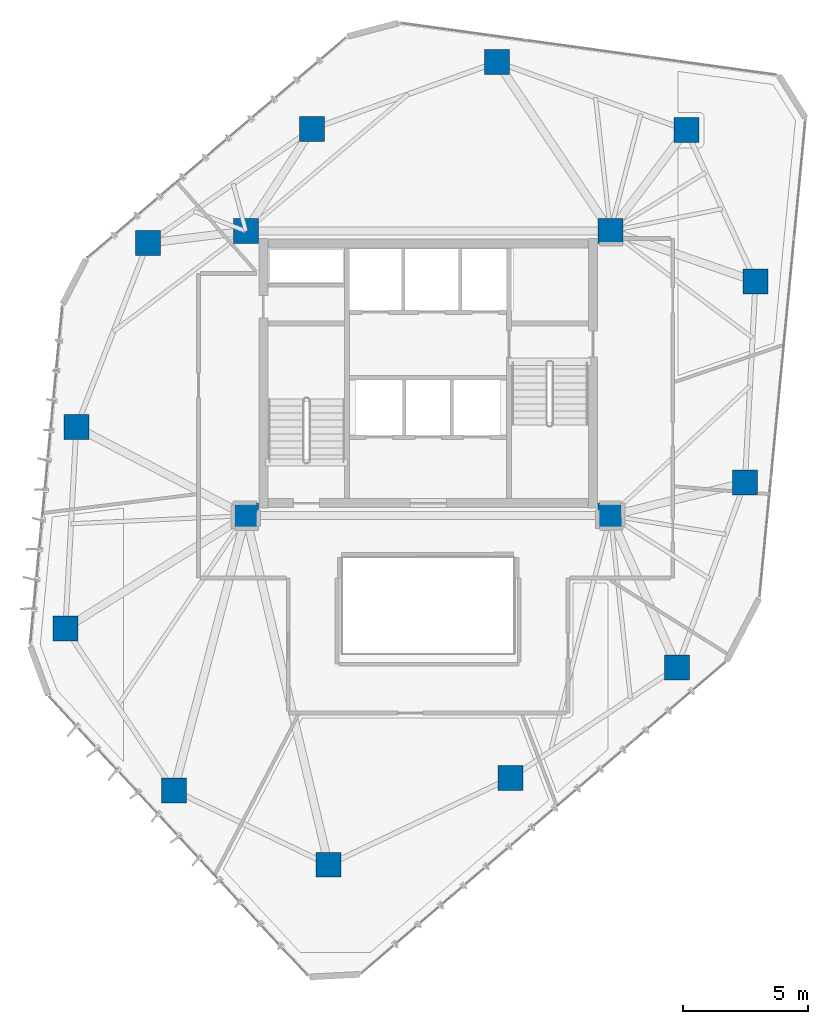
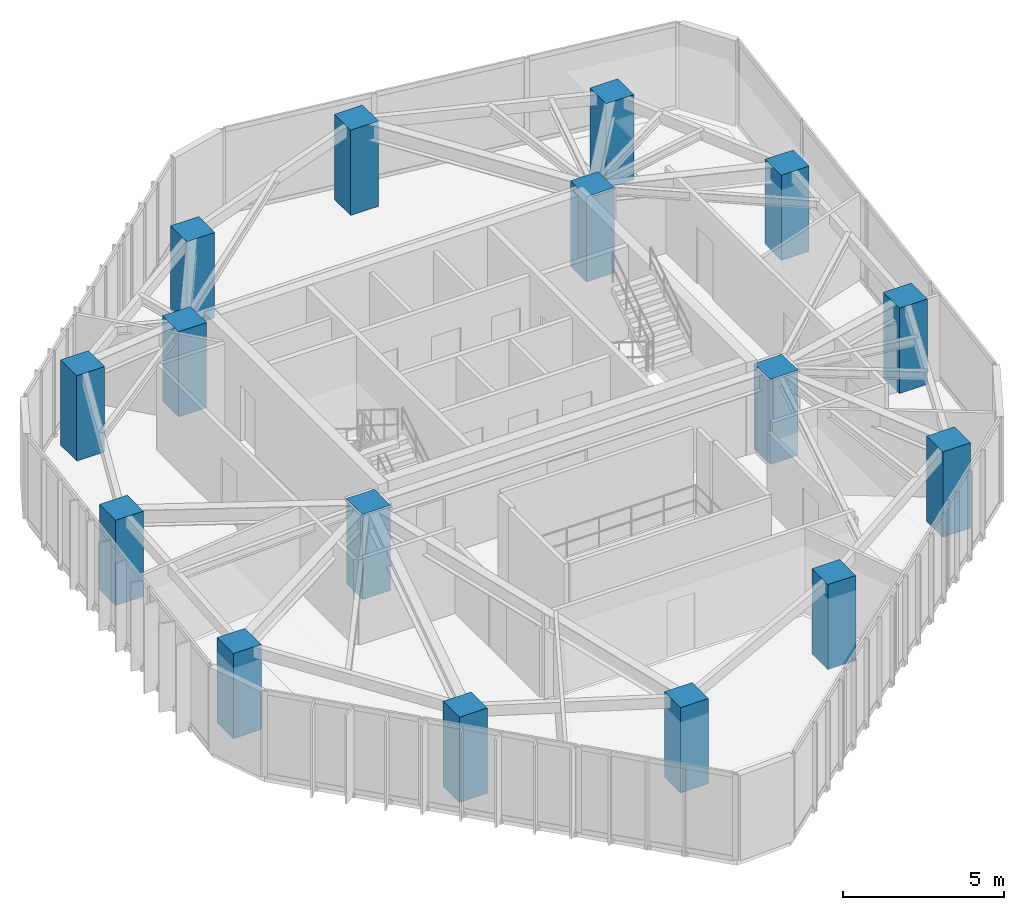
# One storey, part 1 of 20: 16 columns.
"""IFC4 building model written with IfcOpenShell, lengths in metres."""

from ifc_helpers import new_model, si_unit, direction, frame, origin, origin_2d, place, context, subcontext, project, spatial, rectangle, extrude, material, material_profile, profile_set, type_object, element, save


model = new_model("IFC4")

# Units and contexts
model_context = context("Model", 3, precision=1e-05, world=origin(), true_north=direction((0.0, 1.0)))
body_context = subcontext(model_context, "Body", "Model", "MODEL_VIEW")
ifc_project = project(units=[si_unit("LENGTHUNIT", "METRE"), si_unit("AREAUNIT", "SQUARE_METRE"), si_unit("VOLUMEUNIT", "CUBIC_METRE"), si_unit("PLANEANGLEUNIT", "RADIAN"), si_unit("MASSUNIT", "GRAM", prefix="KILO")], contexts=[model_context])

# Site, building, storey
site_placement = place(None, origin())
site = spatial("IfcSite", under=ifc_project, at=site_placement, CompositionType="ELEMENT")
building_placement = place(site_placement, origin())
building = spatial("IfcBuilding", under=site, at=building_placement, Name="Talar Marvaseh", CompositionType="ELEMENT")
storey_placement = place(building_placement, frame((0.0, 0.0, 211.699951171875)))
storey = spatial("IfcBuildingStorey", under=building, at=storey_placement, Name="L55", CompositionType="ELEMENT", Elevation=211.699951171875)

# Columns
ifc_material = material(Name="Concrete C60/75", Category="concrete")
ifc_material_profile = material_profile(ifc_material, rectangle(XDim=1.0, YDim=1.0, at=origin_2d()), Name="RC1000x1000")
ifc_profile_set = profile_set([ifc_material_profile], Name="Concrete C60/75")
column_type = type_object("IfcColumnType", Name="Zone 3 Tube Column RC1000x1000", PredefinedType="COLUMN", material=ifc_profile_set)
for number, where, z_axis, x_axis, name in (
    (1, (28.76611328125, 43.66796875, 0.0), (0.0, 0.0, 1.0), (1.0, 0.0, 0.0), "L55 Zone 3 Tube Column RC1000x1000"),
    (2, (36.341064453125, 40.94189453125, 0.0), (0.0, 0.0, 1.0), (1.0, 0.0, 0.0), "L55 Zone 3 Tube Column RC1000x1000"),
    (3, (39.113037109375, 34.884033203125, 0.0), (0.0, 0.0, 1.0), (1.0, 0.0, 0.0), "L55 Zone 3 Tube Column RC1000x1000"),
    (4, (38.68896484375, 26.823974609375, 0.0), (0.0, 0.0, 1.0), (1.0, 0.0, 0.0), "L55 Zone 3 Tube Column RC1000x1000"),
    (5, (35.970947265625, 19.423095703125, 0.0), (0.0, 0.0, 1.0), (1.0, 0.0, 0.0), "L55 Zone 3 Tube Column RC1000x1000"),
    (6, (29.299072265625, 14.993896484375, 0.0), (0.0, 0.0, 1.0), (1.0, 0.0, 0.0), "L55 Zone 3 Tube Column RC1000x1000"),
    (7, (22.014892578125, 11.51904296875, 0.0), (0.0, 0.0, 1.0), (1.0, 0.0, 0.0), "L55 Zone 3 Tube Column RC1000x1000"),
    (8, (15.819091796875, 14.5009765625, 0.0), (0.0, 0.0, 1.0), (1.0, 0.0, 0.0), "L55 Zone 3 Tube Column RC1000x1000"),
    (9, (11.471923828125, 20.986083984375, 0.0), (0.0, 0.0, 1.0), (1.0, 0.0, 0.0), "L55 Zone 3 Tube Column RC1000x1000"),
    (10, (11.908935546875, 29.044921875, 0.0), (0.0, 0.0, 1.0), (1.0, 0.0, 0.0), "L55 Zone 3 Tube Column RC1000x1000"),
    (11, (14.77294921875, 36.416015625, 0.0), (0.0, 0.0, 1.0), (1.0, 0.0, 0.0), "L55 Zone 3 Tube Column RC1000x1000"),
    (12, (21.35205078125, 40.986083984375, 0.0), (0.0, 0.0, 1.0), (1.0, 0.0, 0.0), "L55 Zone 3 Tube Column RC1000x1000"),
    (13, (18.699951171875, 25.5, 0.0), (0.0, 0.0, 1.0), (1.0, 0.0, 0.0), "L55 Zone 3 Tube Column RC1000x1000"),
    (14, (33.300048828125, 25.5, 0.0), (0.0, 0.0, 1.0), (1.0, 0.0, 0.0), "L55 Zone 3 Tube Column RC1000x1000"),
    (15, (33.300048828125, 36.89990234375, 0.0), (0.0, 0.0, 1.0), (1.0, 0.0, 0.0), "L55 Zone 3 Tube Column RC1000x1000"),
    (16, (18.699951171875, 36.89990234375, 0.0), (0.0, 0.0, 1.0), (1.0, 0.0, 0.0), "L55 Zone 3 Tube Column RC1000x1000"),
):
    element("IfcColumn", number, at=place(storey_placement, frame(where, z_axis=z_axis, x_axis=x_axis)), inside=storey, type_object=column_type, Name=name, PredefinedType="COLUMN", context=body_context, shape_type="SweptSolid", body=[
        extrude(rectangle(XDim=1.0, YDim=1.0, at=origin_2d()), origin(), (0.0, 0.0, 1.0), 3.22998046875),
    ])

save(model, "model.ifc")
